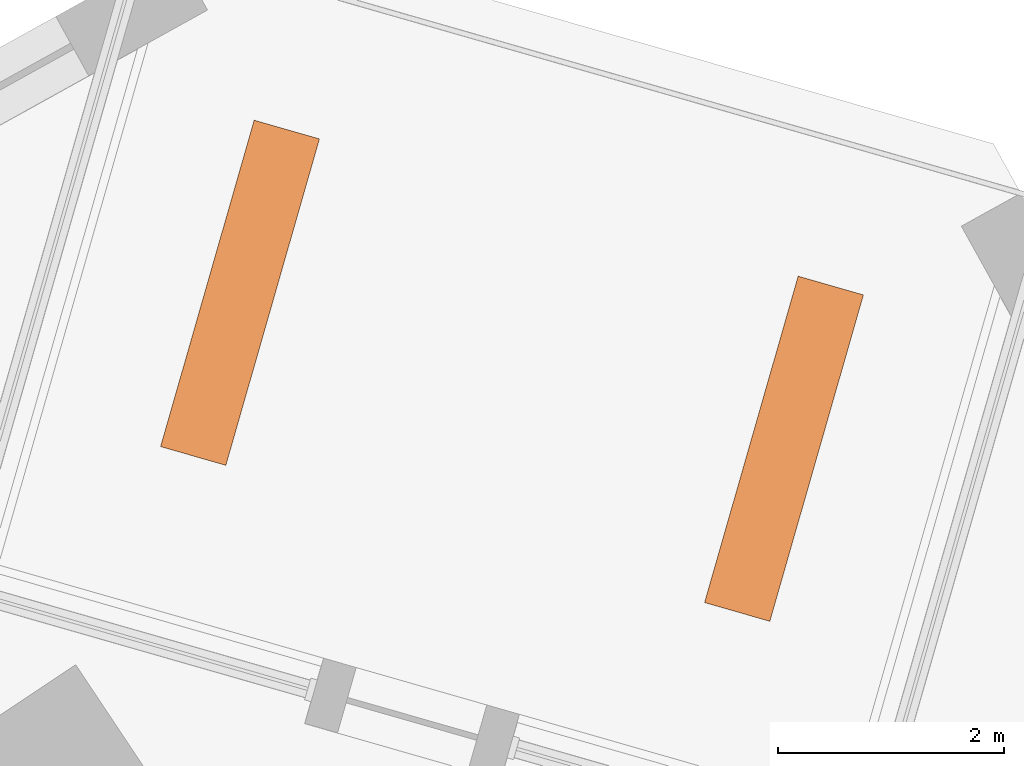
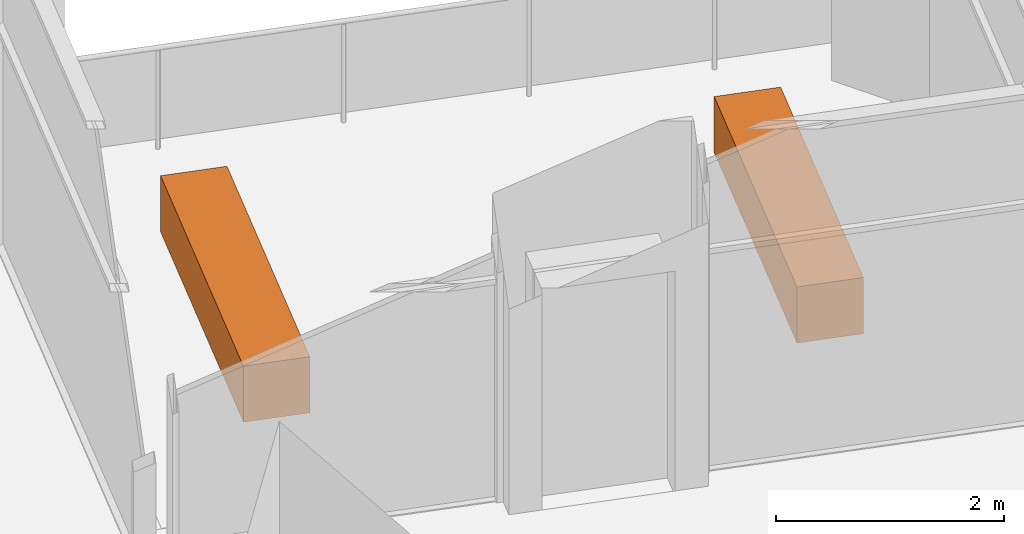
# One storey, part 12 of 12: 2 proxies.
"""IFC4 building model written with IfcOpenShell, lengths in metres."""

from ifc_helpers import new_model, si_unit, direction, frame, origin, origin_2d, place, context, subcontext, project, spatial, rectangle, extrude, element, save


model = new_model("IFC4")

# Units and contexts
model_context = context("Model", 3, precision=1e-05, world=origin(), true_north=direction((0.0, 1.0)))
body_context = subcontext(model_context, "Body", "Model", "MODEL_VIEW")
ifc_project = project(units=[si_unit("LENGTHUNIT", "METRE"), si_unit("AREAUNIT", "SQUARE_METRE"), si_unit("VOLUMEUNIT", "CUBIC_METRE"), si_unit("PLANEANGLEUNIT", "RADIAN"), si_unit("MASSUNIT", "GRAM", prefix="KILO")], contexts=[model_context])

# Site, building, storey
site_placement = place(None, origin())
site = spatial("IfcSite", under=ifc_project, at=site_placement, CompositionType="ELEMENT")
building_placement = place(site_placement, origin())
building = spatial("IfcBuilding", under=site, at=building_placement, Name="Dilmun Exchange Tower", CompositionType="ELEMENT")
storey_placement = place(building_placement, frame((0.0, 0.0, 143.699951171875)))
storey = spatial("IfcBuildingStorey", under=building, at=storey_placement, Name="L33", CompositionType="ELEMENT", Elevation=143.699951171875)

# Proxies
for number, where, z_axis, x_axis, name in (
    (1, (14.013916015625, 30.566650390625, 0.0), (0.0, 0.0, 1.0), (0.275637355817, 0.961261695938, 0.0), "PLANTER Ghaf tree L33.1"),
    (2, (9.20751953125, 31.94482421875, 0.0), (0.0, 0.0, 1.0), (0.275637355817, 0.961261695938, 0.0), "PLANTER Ghaf tree L33.2"),
):
    element("IfcBuildingElementProxy", number, at=place(storey_placement, frame(where, z_axis=z_axis, x_axis=x_axis)), inside=storey, Name=name, ObjectType="PLANTER", PredefinedType="USERDEFINED", context=body_context, shape_type="SweptSolid", body=[
        extrude(rectangle(XDim=3.0, YDim=0.60009765625, at=origin_2d()), origin(), (0.0, 0.0, 1.0), 0.60009765625),
    ])

save(model, "model.ifc")
